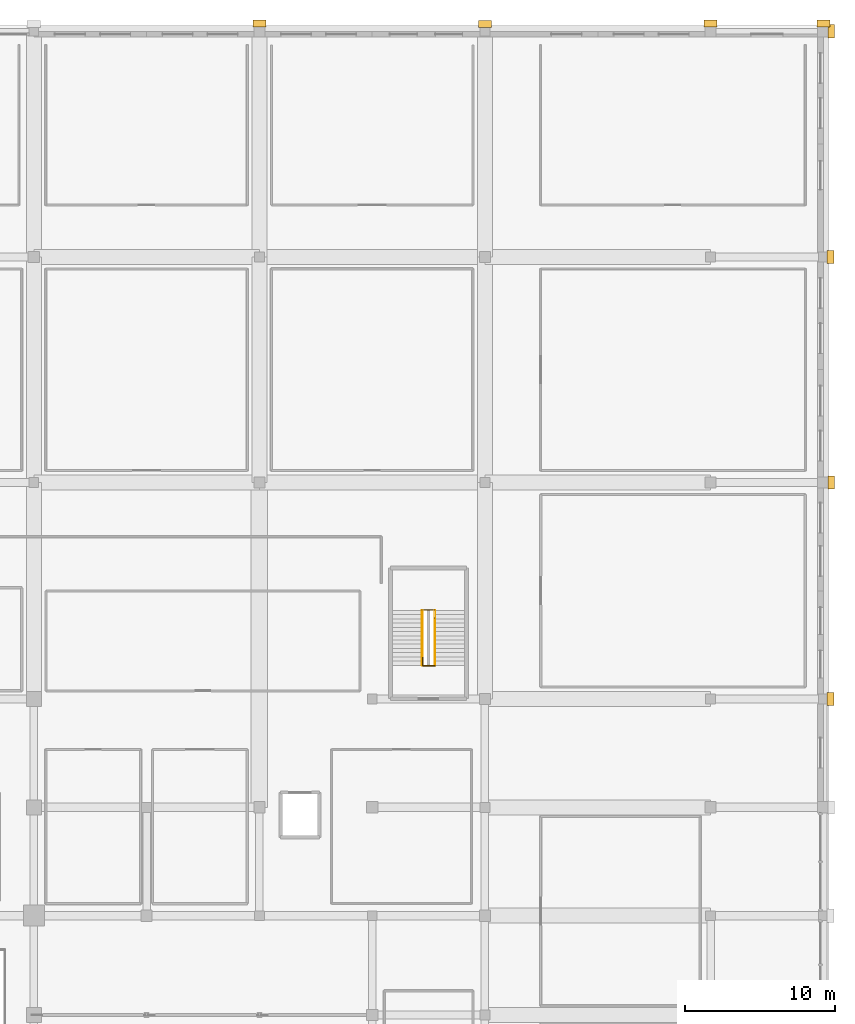
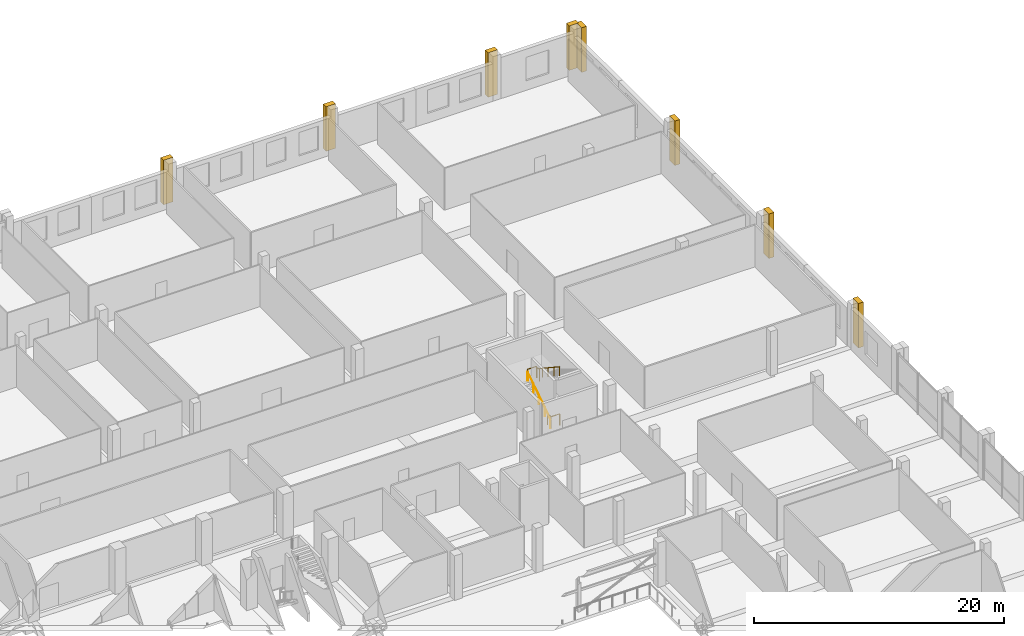
# One storey, part 64 of 64: 8 coverings, 4 railings.
"""IFC4 building model written with IfcOpenShell, lengths in metres."""

from ifc_helpers import new_model, si_unit, direction, frame, origin, origin_2d, place, context, subcontext, project, spatial, rectangle, circle, extrude, material, layer, layer_set, type_object, element, save


model = new_model("IFC4")

# Units and contexts
model_context = context("Model", 3, precision=1e-05, world=origin(), true_north=direction((0.0, 1.0)))
body_context = subcontext(model_context, "Body", "Model", "MODEL_VIEW")
ifc_project = project(units=[si_unit("LENGTHUNIT", "METRE"), si_unit("AREAUNIT", "SQUARE_METRE"), si_unit("VOLUMEUNIT", "CUBIC_METRE"), si_unit("PLANEANGLEUNIT", "RADIAN"), si_unit("MASSUNIT", "GRAM", prefix="KILO")], contexts=[model_context])

# Site, building, storey
site_placement = place(None, origin())
site = spatial("IfcSite", under=ifc_project, at=site_placement, CompositionType="ELEMENT")
building_placement = place(site_placement, origin())
building = spatial("IfcBuilding", under=site, at=building_placement, Name="Akrevak Sports Hall", CompositionType="ELEMENT")
storey_placement = place(building_placement, frame((0.0, 0.0, 4.60009765625)))
storey = spatial("IfcBuildingStorey", under=building, at=storey_placement, Name="L01", CompositionType="ELEMENT", Elevation=4.60009765625)

# Coverings
ifc_material_1 = material(Name="Limestone Ashlar", Category="stone")
ifc_layer_1 = layer(ifc_material_1, 0.47998046875, Name="Limestone Ashlar")
ifc_layer_set_1 = layer_set([ifc_layer_1], Name="Limestone Ashlar")
covering_type = type_object("IfcCoveringType", Name="ARC-COV-PIL-LIM", PredefinedType="CLADDING", material=ifc_layer_set_1)
for number, where, z_axis, x_axis, name in (
    (1, (168.47509765625, 69.60009765625, -0.000244140625), (0.0, 0.0, 1.0), (0.0, 1.0, 0.0), "Giant-Order Limestone Pilaster L01-02-22"),
    (2, (168.52490234375, 84.0, -0.000244140625), (0.0, 0.0, 1.0), (0.0, 1.0, 0.0), "Giant-Order Limestone Pilaster L01-02-23"),
    (3, (168.47509765625, 99.0, -0.000244140625), (0.0, 0.0, 1.0), (0.0, 1.0, 0.0), "Giant-Order Limestone Pilaster L01-02-24"),
    (4, (168.52490234375, 114.0, -0.000244140625), (0.0, 0.0, 1.0), (0.0, 1.0, 0.0), "Giant-Order Limestone Pilaster L01-02-25"),
    (5, (130.5, 114.52490234375, -0.000244140625), (0.0, 0.0, 1.0), (-1.0, 0.0, 0.0), "Giant-Order Limestone Pilaster L01-03-36"),
    (6, (145.5, 114.47509765625, -0.000244140625), (0.0, 0.0, 1.0), (-1.0, 0.0, 0.0), "Giant-Order Limestone Pilaster L01-03-37"),
    (7, (160.5, 114.52490234375, -0.000244140625), (0.0, 0.0, 1.0), (-1.0, 0.0, 0.0), "Giant-Order Limestone Pilaster L01-03-38"),
    (8, (168.0, 114.52490234375, -0.000244140625), (0.0, 0.0, 1.0), (-1.0, 0.0, 0.0), "Giant-Order Limestone Pilaster L01-03-38"),
):
    element("IfcCovering", number, at=place(storey_placement, frame(where, z_axis=z_axis, x_axis=x_axis)), inside=storey, type_object=covering_type, Name=name, PredefinedType="CLADDING", context=body_context, shape_type="SweptSolid", body=[
        extrude(rectangle(XDim=0.8798828125, YDim=0.4599609375, at=origin_2d()), origin(), (0.0, 0.0, 1.0), 4.35009765625),
    ])

# Railings
ifc_material_2 = material(Name="Painted Architectural Balustrade Steel", Category="steel")
ifc_layer_2 = layer(ifc_material_2, 0.06005859375, Name="Painted Architectural Balustrade Steel")
ifc_layer_set_2 = layer_set([ifc_layer_2], Name="Painted Architectural Balustrade Steel")
railing_type_1 = type_object("IfcRailingType", Name="ARC-RL-GRD-1120", PredefinedType="GUARDRAIL", material=ifc_layer_set_2)
railing_1_placement = place(storey_placement, frame((141.360107421875, 72.3701171875, 0.0)))
element("IfcRailing", 9, at=railing_1_placement, inside=storey, type_object=railing_type_1, Name="Stair Floor Landing Well Guard ST8 (L01)", PredefinedType="GUARDRAIL", context=body_context, shape_type="SweptSolid", body=[
    extrude(circle(Radius=0.02392578125, at=origin_2d()), frame((0.0, 0.0, 1.09619140625), z_axis=(0.0, -1.0, 0.0), x_axis=(1.0, 0.0, 0.0)), (0.0, 0.0, 1.0), 0.550048828125),
    extrude(circle(Radius=0.02392578125, at=origin_2d()), frame((0.0, -0.550048828125, 1.09619140625), z_axis=(1.0, 0.0, 0.0), x_axis=(0.0, 1.0, 0.0)), (0.0, 0.0, 1.0), 0.809814453125),
    extrude(circle(Radius=0.02099609375, at=origin_2d()), origin(), (0.0, 0.0, 1.0), 1.072021484375),
    extrude(circle(Radius=0.02099609375, at=origin_2d()), frame((0.0, -0.550048828125, 0.0)), (0.0, 0.0, 1.0), 1.072021484375),
    extrude(circle(Radius=0.02099609375, at=origin_2d()), frame((0.809814453125, -0.550048828125, 0.0)), (0.0, 0.0, 1.0), 1.072021484375),
])
railing_2_placement = place(storey_placement, frame((141.330078125, 75.52001953125, 2.39990234375)))
element("IfcRailing", 10, at=railing_2_placement, inside=storey, type_object=railing_type_1, Name="Stair Landing Well Guard ST8-L01-1", PredefinedType="GUARDRAIL", context=body_context, shape_type="SweptSolid", body=[
    extrude(circle(Radius=0.02392578125, at=origin_2d()), frame((0.0, 0.0, 1.09619140625), z_axis=(1.0, 0.0, 0.0), x_axis=(0.0, 1.0, 0.0)), (0.0, 0.0, 1.0), 0.809814453125),
    extrude(circle(Radius=0.02392578125, at=origin_2d()), frame((0.809814453125, 0.0, 1.09619140625), z_axis=(0.0, -1.0, 0.0), x_axis=(1.0, 0.0, 0.0)), (0.0, 0.0, 1.0), 0.52001953125),
    extrude(circle(Radius=0.02099609375, at=origin_2d()), origin(), (0.0, 0.0, 1.0), 1.072021484375),
    extrude(circle(Radius=0.02099609375, at=origin_2d()), frame((0.809814453125, 0.0, 0.0)), (0.0, 0.0, 1.0), 1.072021484375),
    extrude(circle(Radius=0.02099609375, at=origin_2d()), frame((0.809814453125, -0.52001953125, 0.0)), (0.0, 0.0, 1.0), 1.072021484375),
])
ifc_material_3 = material(Name="Brushed Stainless Steel 304", Category="steel")
ifc_layer_3 = layer(ifc_material_3, 0.050048828125, Name="Brushed Stainless Steel 304")
ifc_layer_set_3 = layer_set([ifc_layer_3], Name="Brushed Stainless Steel 304")
railing_type_2 = type_object("IfcRailingType", Name="ARC-RL-HND-900", PredefinedType="HANDRAIL", material=ifc_layer_set_3)
railing_3_placement = place(storey_placement, frame((141.330078125, 71.85009765625, 0.0)))
element("IfcRailing", 11, at=railing_3_placement, inside=storey, type_object=railing_type_2, Name="Stair Handrail ST8-L01-F1", PredefinedType="HANDRAIL", context=body_context, shape_type="SweptSolid", body=[
    extrude(circle(Radius=0.02392578125, at=origin_2d()), frame((0.0, 0.0, 0.8759765625), z_axis=(0.0, 0.834865213223, 0.550454426587), x_axis=(-1.0, 0.0, 0.0)), (0.0, 0.0, 1.0), 4.35986328125),
    extrude(circle(Radius=0.02099609375, at=origin_2d()), origin(), (0.0, 0.0, 1.0), 0.851806640625),
    extrude(circle(Radius=0.02099609375, at=origin_2d()), frame((0.0, 0.909912109375, 0.60009765625)), (0.0, 0.0, 1.0), 0.851806640625),
    extrude(circle(Radius=0.02099609375, at=origin_2d()), frame((0.0, 1.81982421875, 1.199951171875)), (0.0, 0.0, 1.0), 0.851806640625),
    extrude(circle(Radius=0.02099609375, at=origin_2d()), frame((0.0, 2.72998046875, 1.7998046875)), (0.0, 0.0, 1.0), 0.851806640625),
    extrude(circle(Radius=0.02099609375, at=origin_2d()), frame((0.0, 3.639892578125, 2.39990234375)), (0.0, 0.0, 1.0), 0.851806640625),
])
railing_4_placement = place(storey_placement, frame((142.169921875, 75.489990234375, 2.39990234375)))
element("IfcRailing", 12, at=railing_4_placement, inside=storey, type_object=railing_type_2, Name="Stair Handrail ST8-L01-F2", PredefinedType="HANDRAIL", context=body_context, shape_type="SweptSolid", body=[
    extrude(circle(Radius=0.02392578125, at=origin_2d()), frame((0.0, 0.0, 0.8759765625), z_axis=(0.0, -0.834865213223, 0.550454426587), x_axis=(1.0, 0.0, 0.0)), (0.0, 0.0, 1.0), 4.35986328125),
    extrude(circle(Radius=0.02099609375, at=origin_2d()), origin(), (0.0, 0.0, 1.0), 0.851806640625),
    extrude(circle(Radius=0.02099609375, at=origin_2d()), frame((0.0, -0.909912109375, 0.60009765625)), (0.0, 0.0, 1.0), 0.851806640625),
    extrude(circle(Radius=0.02099609375, at=origin_2d()), frame((0.0, -1.81982421875, 1.199951171875)), (0.0, 0.0, 1.0), 0.851806640625),
    extrude(circle(Radius=0.02099609375, at=origin_2d()), frame((0.0, -2.72998046875, 1.7998046875)), (0.0, 0.0, 1.0), 0.851806640625),
    extrude(circle(Radius=0.02099609375, at=origin_2d()), frame((0.0, -3.639892578125, 2.39990234375)), (0.0, 0.0, 1.0), 0.851806640625),
])

save(model, "model.ifc")
